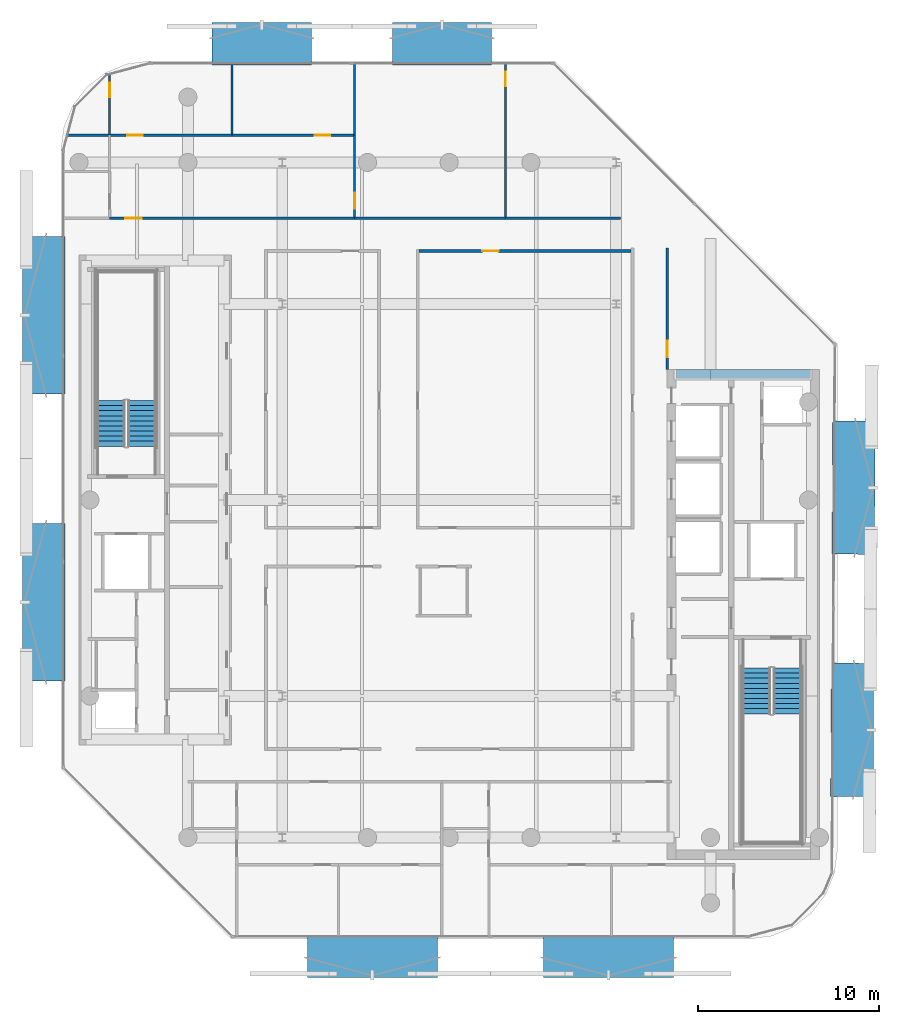
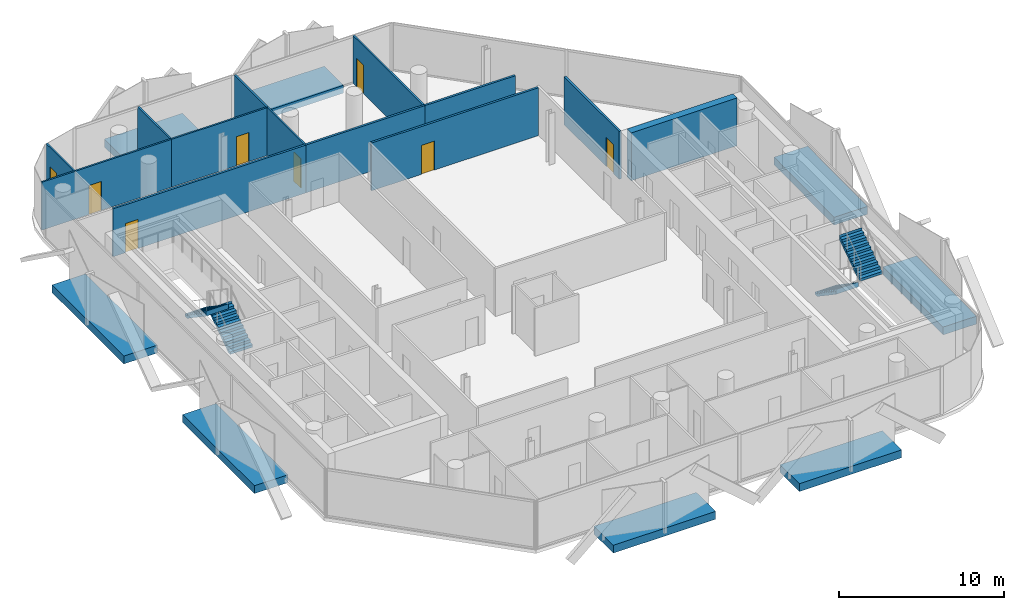
# One storey, part 7 of 16: 13 walls, 8 discrete accessories, 8 doors, 4 stair flights, 8 openings, 2 elements without a shape of their own.
"""IFC4 building model written with IfcOpenShell, lengths in metres."""

from ifc_helpers import new_model, si_unit, direction, frame, frame_2d, origin, origin_2d, place, context, subcontext, project, spatial, polyline, rectangle, outline, extrude, material, layer, layer_set, type_object, element, fill, aggregate, save


model = new_model("IFC4")

# Units and contexts
model_context = context("Model", 3, precision=1e-05, world=origin(), true_north=direction((0.0, 1.0)))
body_context = subcontext(model_context, "Body", "Model", "MODEL_VIEW")
ifc_project = project(units=[si_unit("LENGTHUNIT", "METRE"), si_unit("AREAUNIT", "SQUARE_METRE"), si_unit("VOLUMEUNIT", "CUBIC_METRE"), si_unit("PLANEANGLEUNIT", "RADIAN"), si_unit("MASSUNIT", "GRAM", prefix="KILO")], contexts=[model_context])

# Site, building, storey
site_placement = place(None, origin())
site = spatial("IfcSite", under=ifc_project, at=site_placement, CompositionType="ELEMENT")
building_placement = place(site_placement, origin())
building = spatial("IfcBuilding", under=site, at=building_placement, Name="Khairoan Windgate Tower", CompositionType="ELEMENT")
storey_placement = place(building_placement, frame((0.0, 0.0, 311.800048828125)))
storey = spatial("IfcBuildingStorey", under=building, at=storey_placement, Name="L75", CompositionType="ELEMENT", Elevation=311.800048828125)

# Wall, opening, door
ifc_material_1 = material(Name="Gypsum Stud Partition", Category="gypsum")
ifc_layer_1 = layer(ifc_material_1, 0.1201171875, Name="Gypsum Stud Partition")
ifc_layer_set_1 = layer_set([ifc_layer_1], Name="Gypsum Stud Partition")
wall_type_1 = type_object("IfcWallType", Name="Internal Room Partition Wall", PredefinedType="PARTITIONING", material=ifc_layer_set_1)
wall_1_placement = place(storey_placement, frame((-18.7099609375, 20.10009765625, 0.0), z_axis=(0.0, 0.0, 1.0), x_axis=(0.0, 1.0, 0.0)))
wall_1 = element("IfcWall", 1, at=wall_1_placement, inside=storey, type_object=wall_type_1, Name="L75 Interior Partition 037", PredefinedType="PARTITIONING", context=body_context, shape_type="SweptSolid", body=[
    extrude(rectangle(XDim=3.361328125, YDim=0.1201171875, at=frame_2d((1.6806640625, 0.0))), origin(), (0.0, 0.0, 1.0), 3.5400390625),
])
opening_1_placement = place(wall_1_placement, frame((2.1015625, 0.0, 0.0)))
opening_1 = element("IfcOpeningElement", 2, at=opening_1_placement, cuts=wall_1, Name="Opening ID-BTH", PredefinedType="OPENING", context=body_context, shape_type="SweptSolid", body=[
    extrude(rectangle(XDim=0.800048828125, YDim=2.10009765625, at=frame_2d((0.39990234375, 1.050048828125))), frame((0.0, 0.070068359375, 0.0), z_axis=(0.0, -1.0, 0.0), x_axis=(1.0, 0.0, 0.0)), (0.0, 0.0, 1.0), 0.14013671875),
])
ifc_material_2 = material(Name="Teak Veneer Timber Leaf", Category="wood")
door_type_1 = type_object("IfcDoorType", Name="Internal Bathroom Door ID-BTH 800x2100", OperationType="NOTDEFINED", PredefinedType="DOOR", material=ifc_material_2)
door_1_placement = place(opening_1_placement, origin())
door_1 = element("IfcDoor", 3, at=door_1_placement, inside=storey, type_object=door_type_1, Name="L75 L75-33-L75-37 Door", OperationType="SINGLE_SWING_RIGHT", OverallHeight=2.10009765625, OverallWidth=0.800048828125, PredefinedType="DOOR", context=body_context, shape_type="SweptSolid", body=[
    extrude(rectangle(XDim=0.800048828125, YDim=2.10009765625, at=frame_2d((0.39990234375, 1.050048828125))), frame((0.0, 0.02490234375, 0.0), z_axis=(0.0, -1.0, 0.0), x_axis=(1.0, 0.0, 0.0)), (0.0, 0.0, 1.0), 0.050048828125),
])
fill(opening_1, door_1)

wall_2_placement = place(storey_placement, frame((-5.2099609375, 15.60009765625, 0.0), z_axis=(0.0, 0.0, 1.0), x_axis=(0.0, 1.0, 0.0)))
wall_2 = element("IfcWall", 4, at=wall_2_placement, inside=storey, type_object=wall_type_1, Name="L75 Interior Partition 038", PredefinedType="PARTITIONING", context=body_context, shape_type="SweptSolid", body=[
    extrude(rectangle(XDim=4.5, YDim=0.1201171875, at=frame_2d((2.25, 0.0))), origin(), (0.0, 0.0, 1.0), 3.5400390625),
])
opening_2_placement = place(wall_2_placement, frame((0.4599609375, 0.0, 0.0)))
opening_2 = element("IfcOpeningElement", 5, at=opening_2_placement, cuts=wall_2, Name="Opening ID-RM", PredefinedType="OPENING", context=body_context, shape_type="SweptSolid", body=[
    extrude(rectangle(XDim=0.860107421875, YDim=2.14990234375, at=frame_2d((0.43017578125, 1.074951171875))), frame((0.0, 0.070068359375, 0.0), z_axis=(0.0, -1.0, 0.0), x_axis=(1.0, 0.0, 0.0)), (0.0, 0.0, 1.0), 0.14013671875),
])
ifc_material_3 = material(Name="Teak Veneer Timber Leaf", Category="wood")
door_type_2 = type_object("IfcDoorType", Name="Internal Bedroom and Office Door ID-RM 860x2150", OperationType="NOTDEFINED", PredefinedType="DOOR", material=ifc_material_3)
door_2_placement = place(opening_2_placement, origin())
door_2 = element("IfcDoor", 6, at=door_2_placement, inside=storey, type_object=door_type_2, Name="L75 L75-34-L75-35 Door", OperationType="SINGLE_SWING_LEFT", OverallHeight=2.14990234375, OverallWidth=0.860107421875, PredefinedType="DOOR", context=body_context, shape_type="SweptSolid", body=[
    extrude(rectangle(XDim=0.860107421875, YDim=2.14990234375, at=frame_2d((0.43017578125, 1.074951171875))), frame((0.0, 0.02490234375, 0.0), z_axis=(0.0, -1.0, 0.0), x_axis=(1.0, 0.0, 0.0)), (0.0, 0.0, 1.0), 0.050048828125),
])
fill(opening_2, door_2)

wall_3_placement = place(storey_placement, frame((-21.03857421875, 20.10009765625, 0.0), z_axis=(0.0, 0.0, 1.0), x_axis=(1.0, 0.0, 0.0)))
wall_3 = element("IfcWall", 7, at=wall_3_placement, inside=storey, type_object=wall_type_1, Name="L75 Interior Partition 039", PredefinedType="PARTITIONING", context=body_context, shape_type="SweptSolid", body=[
    extrude(rectangle(XDim=9.07861328125, YDim=0.1201171875, at=frame_2d((4.539306640625, 0.0))), origin(), (0.0, 0.0, 1.0), 3.5400390625),
])
opening_3_placement = place(wall_3_placement, frame((3.29833984375, 0.0, 0.0)))
opening_3 = element("IfcOpeningElement", 8, at=opening_3_placement, cuts=wall_3, Name="Opening ID-RM", PredefinedType="OPENING", context=body_context, shape_type="SweptSolid", body=[
    extrude(rectangle(XDim=0.860107421875, YDim=2.14990234375, at=frame_2d((0.43017578125, 1.074951171875))), frame((0.0, 0.070068359375, 0.0), z_axis=(0.0, -1.0, 0.0), x_axis=(1.0, 0.0, 0.0)), (0.0, 0.0, 1.0), 0.14013671875),
])
door_3_placement = place(opening_3_placement, origin())
door_3 = element("IfcDoor", 9, at=door_3_placement, inside=storey, type_object=door_type_2, Name="L75 L75-34-L75-37 Door", OperationType="SINGLE_SWING_RIGHT", OverallHeight=2.14990234375, OverallWidth=0.860107421875, PredefinedType="DOOR", context=body_context, shape_type="SweptSolid", body=[
    extrude(rectangle(XDim=0.860107421875, YDim=2.14990234375, at=frame_2d((0.43017578125, 1.074951171875))), frame((0.0, 0.02490234375, 0.0), z_axis=(0.0, -1.0, 0.0), x_axis=(1.0, 0.0, 0.0)), (0.0, 0.0, 1.0), 0.050048828125),
])
fill(opening_3, door_3)

wall_4_placement = place(storey_placement, frame((-11.9599609375, 20.10009765625, 0.0), z_axis=(0.0, 0.0, 1.0), x_axis=(1.0, 0.0, 0.0)))
wall_4 = element("IfcWall", 10, at=wall_4_placement, inside=storey, type_object=wall_type_1, Name="L75 Interior Partition 040", PredefinedType="PARTITIONING", context=body_context, shape_type="SweptSolid", body=[
    extrude(rectangle(XDim=6.68994140625, YDim=0.1201171875, at=frame_2d((3.344970703125, 0.0))), origin(), (0.0, 0.0, 1.0), 3.5400390625),
])
opening_4_placement = place(wall_4_placement, frame((4.5517578125, 0.0, 0.0)))
opening_4 = element("IfcOpeningElement", 11, at=opening_4_placement, cuts=wall_4, Name="Opening ID-RM", PredefinedType="OPENING", context=body_context, shape_type="SweptSolid", body=[
    extrude(rectangle(XDim=0.860107421875, YDim=2.14990234375, at=frame_2d((0.43017578125, 1.074951171875))), frame((0.0, 0.070068359375, 0.0), z_axis=(0.0, -1.0, 0.0), x_axis=(1.0, 0.0, 0.0)), (0.0, 0.0, 1.0), 0.14013671875),
])
door_4_placement = place(opening_4_placement, origin())
door_4 = element("IfcDoor", 12, at=door_4_placement, inside=storey, type_object=door_type_2, Name="L75 L75-34-L75-38 Door", OperationType="SINGLE_SWING_LEFT", OverallHeight=2.14990234375, OverallWidth=0.860107421875, PredefinedType="DOOR", context=body_context, shape_type="SweptSolid", body=[
    extrude(rectangle(XDim=0.860107421875, YDim=2.14990234375, at=frame_2d((0.43017578125, 1.074951171875))), frame((0.0, 0.02490234375, 0.0), z_axis=(0.0, -1.0, 0.0), x_axis=(1.0, 0.0, 0.0)), (0.0, 0.0, 1.0), 0.050048828125),
])
fill(opening_4, door_4)

wall_5_placement = place(storey_placement, frame((3.10498046875, 15.60009765625, 0.0), z_axis=(0.0, 0.0, 1.0), x_axis=(0.0, 1.0, 0.0)))
wall_5 = element("IfcWall", 13, at=wall_5_placement, inside=storey, type_object=wall_type_1, Name="L75 Interior Partition 041", PredefinedType="PARTITIONING", context=body_context, shape_type="SweptSolid", body=[
    extrude(rectangle(XDim=8.454833984375, YDim=0.1201171875, at=frame_2d((4.2275390625, 0.0))), origin(), (0.0, 0.0, 1.0), 3.5400390625),
])
opening_5_placement = place(wall_5_placement, frame((7.195068359375, 0.0, 0.0)))
opening_5 = element("IfcOpeningElement", 14, at=opening_5_placement, cuts=wall_5, Name="Opening ID-BTH", PredefinedType="OPENING", context=body_context, shape_type="SweptSolid", body=[
    extrude(rectangle(XDim=0.800048828125, YDim=2.10009765625, at=frame_2d((0.39990234375, 1.050048828125))), frame((0.0, 0.070068359375, 0.0), z_axis=(0.0, -1.0, 0.0), x_axis=(1.0, 0.0, 0.0)), (0.0, 0.0, 1.0), 0.14013671875),
])
door_5_placement = place(opening_5_placement, origin())
door_5 = element("IfcDoor", 15, at=door_5_placement, inside=storey, type_object=door_type_1, Name="L75 L75-35-L75-36 Door", OperationType="SINGLE_SWING_RIGHT", OverallHeight=2.10009765625, OverallWidth=0.800048828125, PredefinedType="DOOR", context=body_context, shape_type="SweptSolid", body=[
    extrude(rectangle(XDim=0.800048828125, YDim=2.10009765625, at=frame_2d((0.39990234375, 1.050048828125))), frame((0.0, 0.02490234375, 0.0), z_axis=(0.0, -1.0, 0.0), x_axis=(1.0, 0.0, 0.0)), (0.0, 0.0, 1.0), 0.050048828125),
])
fill(opening_5, door_5)

# Walls
wall_6_placement = place(storey_placement, frame((-5.2099609375, 20.10009765625, 0.0), z_axis=(0.0, 0.0, 1.0), x_axis=(0.0, 1.0, 0.0)))
element("IfcWall", 16, at=wall_6_placement, inside=storey, type_object=wall_type_1, Name="L75 Interior Partition 042", PredefinedType="PARTITIONING", context=body_context, shape_type="SweptSolid", body=[
    extrude(rectangle(XDim=3.954833984375, YDim=0.1201171875, at=frame_2d((1.9775390625, 0.0))), origin(), (0.0, 0.0, 1.0), 3.5400390625),
])
wall_7_placement = place(storey_placement, frame((-11.9599609375, 20.159912109375, 0.0), z_axis=(0.0, 0.0, 1.0), x_axis=(0.0, 1.0, 0.0)))
element("IfcWall", 17, at=wall_7_placement, inside=storey, type_object=wall_type_1, Name="L75 Interior Partition 043", PredefinedType="PARTITIONING", context=body_context, shape_type="SweptSolid", body=[
    extrude(rectangle(XDim=3.89501953125, YDim=0.1201171875, at=frame_2d((1.947509765625, 0.0))), origin(), (0.0, 0.0, 1.0), 3.5400390625),
])

# Wall, opening, door
ifc_material_4 = material(Name="Acoustic Fire-Rated Gypsum Partition", Category="gypsum")
ifc_layer_2 = layer(ifc_material_4, 0.14990234375, Name="Acoustic Fire-Rated Gypsum Partition")
ifc_layer_set_2 = layer_set([ifc_layer_2], Name="Acoustic Fire-Rated Gypsum Partition")
wall_type_2 = type_object("IfcWallType", Name="Rated Corridor Partition Wall", PredefinedType="PARTITIONING", material=ifc_layer_set_2)
wall_8_placement = place(storey_placement, frame((12.014892578125, 7.199951171875, 0.0), z_axis=(0.0, 0.0, 1.0), x_axis=(0.0, 1.0, 0.0)))
wall_8 = element("IfcWall", 18, at=wall_8_placement, inside=storey, type_object=wall_type_2, Name="L75 Interior Partition 013", PredefinedType="PARTITIONING", context=body_context, shape_type="SweptSolid", body=[
    extrude(rectangle(XDim=6.679931640625, YDim=0.14990234375, at=frame_2d((3.33984375, 0.0))), origin(), (0.0, 0.0, 1.0), 3.5400390625),
])
opening_6_placement = place(wall_8_placement, frame((0.669921875, 0.0, 0.0)))
opening_6 = element("IfcOpeningElement", 19, at=opening_6_placement, cuts=wall_8, Name="Opening FD-ENT", PredefinedType="OPENING", context=body_context, shape_type="SweptSolid", body=[
    extrude(rectangle(XDim=0.89990234375, YDim=2.14990234375, at=frame_2d((0.449951171875, 1.074951171875))), frame((0.0, 0.0849609375, 0.0), z_axis=(0.0, -1.0, 0.0), x_axis=(1.0, 0.0, 0.0)), (0.0, 0.0, 1.0), 0.169921875),
])
ifc_material_5 = material(Name="Timber Fire-Rated Core", Category="wood")
door_type_3 = type_object("IfcDoorType", Name="Unit and Office Fire Entrance Door FD-ENT 900x2150", OperationType="NOTDEFINED", PredefinedType="DOOR", material=ifc_material_5)
door_6_placement = place(opening_6_placement, origin())
door_6 = element("IfcDoor", 20, at=door_6_placement, inside=storey, type_object=door_type_3, Name="L75 L75-27-L75-50 Door", OperationType="SINGLE_SWING_LEFT", OverallHeight=2.14990234375, OverallWidth=0.89990234375, PredefinedType="DOOR", context=body_context, shape_type="SweptSolid", body=[
    extrude(rectangle(XDim=0.89990234375, YDim=2.14990234375, at=frame_2d((0.449951171875, 1.074951171875))), frame((0.0, 0.02490234375, 0.0), z_axis=(0.0, -1.0, 0.0), x_axis=(1.0, 0.0, 0.0)), (0.0, 0.0, 1.0), 0.050048828125),
])
fill(opening_6, door_6)

wall_9_placement = place(storey_placement, frame((-18.7099609375, 15.52490234375, 0.0), z_axis=(0.0, 0.0, 1.0), x_axis=(1.0, 0.0, 0.0)))
wall_9 = element("IfcWall", 21, at=wall_9_placement, inside=storey, type_object=wall_type_2, Name="L75 Interior Partition 023", PredefinedType="PARTITIONING", context=body_context, shape_type="SweptSolid", body=[
    extrude(rectangle(XDim=13.5, YDim=0.14990234375, at=frame_2d((6.75, 0.0))), origin(), (0.0, 0.0, 1.0), 3.5400390625),
])
opening_7_placement = place(wall_9_placement, frame((0.86279296875, 0.0, 0.0)))
opening_7 = element("IfcOpeningElement", 22, at=opening_7_placement, cuts=wall_9, Name="Opening FD-ENT", PredefinedType="OPENING", context=body_context, shape_type="SweptSolid", body=[
    extrude(rectangle(XDim=0.89990234375, YDim=2.14990234375, at=frame_2d((0.449951171875, 1.074951171875))), frame((0.0, 0.0849609375, 0.0), z_axis=(0.0, -1.0, 0.0), x_axis=(1.0, 0.0, 0.0)), (0.0, 0.0, 1.0), 0.169921875),
])
door_7_placement = place(opening_7_placement, origin())
door_7 = element("IfcDoor", 23, at=door_7_placement, inside=storey, type_object=door_type_3, Name="L75 L75-30-L75-34 Door", OperationType="SINGLE_SWING_RIGHT", OverallHeight=2.14990234375, OverallWidth=0.89990234375, PredefinedType="DOOR", context=body_context, shape_type="SweptSolid", body=[
    extrude(rectangle(XDim=0.89990234375, YDim=2.14990234375, at=frame_2d((0.449951171875, 1.074951171875))), frame((0.0, 0.02490234375, 0.0), z_axis=(0.0, -1.0, 0.0), x_axis=(1.0, 0.0, 0.0)), (0.0, 0.0, 1.0), 0.050048828125),
])
fill(opening_7, door_7)

# Walls
wall_10_placement = place(storey_placement, frame((-5.2099609375, 15.52490234375, 0.0), z_axis=(0.0, 0.0, 1.0), x_axis=(1.0, 0.0, 0.0)))
element("IfcWall", 24, at=wall_10_placement, inside=storey, type_object=wall_type_2, Name="L75 Interior Partition 024", PredefinedType="PARTITIONING", context=body_context, shape_type="SweptSolid", body=[
    extrude(rectangle(XDim=8.31494140625, YDim=0.14990234375, at=frame_2d((4.157470703125, 0.0))), origin(), (0.0, 0.0, 1.0), 3.5400390625),
])
wall_11_placement = place(storey_placement, frame((3.10498046875, 15.52490234375, 0.0), z_axis=(0.0, 0.0, 1.0), x_axis=(1.0, 0.0, 0.0)))
element("IfcWall", 25, at=wall_11_placement, inside=storey, type_object=wall_type_2, Name="L75 Interior Partition 025", PredefinedType="PARTITIONING", context=body_context, shape_type="SweptSolid", body=[
    extrude(rectangle(XDim=6.3349609375, YDim=0.14990234375, at=frame_2d((3.16748046875, 0.0))), origin(), (0.0, 0.0, 1.0), 3.5400390625),
])

# Wall, opening, door
wall_12_placement = place(storey_placement, frame((-1.659912109375, 13.719970703125, 0.0), z_axis=(0.0, 0.0, 1.0), x_axis=(1.0, 0.0, 0.0)))
wall_12 = element("IfcWall", 26, at=wall_12_placement, inside=storey, type_object=wall_type_2, Name="L75 Interior Partition 027", PredefinedType="PARTITIONING", context=body_context, shape_type="SweptSolid", body=[
    extrude(rectangle(XDim=11.684814453125, YDim=0.14990234375, at=frame_2d((5.84228515625, 0.0))), origin(), (0.0, 0.0, 1.0), 3.5400390625),
])
opening_8_placement = place(wall_12_placement, frame((3.486083984375, 0.0, 0.0)))
opening_8 = element("IfcOpeningElement", 27, at=opening_8_placement, cuts=wall_12, Name="Opening FD-ENT", PredefinedType="OPENING", context=body_context, shape_type="SweptSolid", body=[
    extrude(rectangle(XDim=0.89990234375, YDim=2.14990234375, at=frame_2d((0.449951171875, 1.074951171875))), frame((0.0, 0.0849609375, 0.0), z_axis=(0.0, -1.0, 0.0), x_axis=(1.0, 0.0, 0.0)), (0.0, 0.0, 1.0), 0.169921875),
])
door_8_placement = place(opening_8_placement, origin())
door_8 = element("IfcDoor", 28, at=door_8_placement, inside=storey, type_object=door_type_3, Name="L75 L75-30-L75-53 Door", OperationType="SINGLE_SWING_RIGHT", OverallHeight=2.14990234375, OverallWidth=0.89990234375, PredefinedType="DOOR", context=body_context, shape_type="SweptSolid", body=[
    extrude(rectangle(XDim=0.89990234375, YDim=2.14990234375, at=frame_2d((0.449951171875, 1.074951171875))), frame((0.0, 0.02490234375, 0.0), z_axis=(0.0, -1.0, 0.0), x_axis=(1.0, 0.0, 0.0)), (0.0, 0.0, 1.0), 0.050048828125),
])
fill(opening_8, door_8)

# Wall
ifc_material_6 = material(Name="Concrete C50/60", Category="concrete")
ifc_layer_3 = layer(ifc_material_6, 0.5, Name="Concrete C50/60")
ifc_layer_set_3 = layer_set([ifc_layer_3], Name="Concrete C50/60")
wall_type_3 = type_object("IfcWallType", Name="Shear Wall CW-E3 500mm", PredefinedType="SHEAR", material=ifc_layer_set_3)
wall_13_placement = place(storey_placement, frame((12.5, 6.949951171875, 0.0), z_axis=(0.0, 0.0, 1.0), x_axis=(1.0, 0.0, 0.0)))
element("IfcWall", 29, at=wall_13_placement, inside=storey, type_object=wall_type_3, Name="E Core North Shear Wall L75", PredefinedType="SHEAR", context=body_context, shape_type="SweptSolid", body=[
    extrude(rectangle(XDim=7.39990234375, YDim=0.5, at=frame_2d((3.699951171875, 0.0))), origin(), (0.0, 0.0, 1.0), 3.5400390625),
])

# Stair, stair flights
ifc_material_7 = material(Name="Concrete C40/50", Category="concrete")
stair_type = type_object("IfcStairType", Name="Tower Core Dog-Leg Stair ST-T1 1560mm", PredefinedType="HALF_TURN_STAIR", material=ifc_material_7)
stair_1_placement = place(storey_placement, origin())
stair_1 = element("IfcStair", 30, at=stair_1_placement, inside=storey, type_object=stair_type, Name="L75 Stair ST1", PredefinedType="HALF_TURN_STAIR")
ifc_material_8 = material(Name="Concrete C40/50", Category="concrete")
ifc_layer_4 = layer(ifc_material_8, 0.14990234375, Name="Concrete C40/50")
ifc_layer_set_4 = layer_set([ifc_layer_4], Name="Concrete C40/50")
stair_flight_type = type_object("IfcStairFlightType", Name="Tower Core Stair Flight STF-1560", PredefinedType="STRAIGHT", material=ifc_layer_set_4)
stair_flight_1_placement = place(storey_placement, frame((16.929931640625, -9.260009765625, 0.0), z_axis=(0.0, 0.0, 1.0), x_axis=(0.0, -1.0, 0.0)))
stair_flight_1 = element("IfcStairFlight", 31, at=stair_flight_1_placement, type_object=stair_flight_type, Name="ST1 flight 1", NumberOfRisers=10, NumberOfTreads=9, PredefinedType="STRAIGHT", RiserHeight=0.19, TreadLength=0.28, context=body_context, shape_type="SweptSolid", body=[
    extrude(outline(polyline([(-0.00390625, 0.0), (-0.00390625, 0.18994140625), (0.0, 0.18994140625), (0.280029296875, 0.18994140625), (0.280029296875, 0.3798828125), (0.56005859375, 0.3798828125), (0.56005859375, 0.570068359375), (0.840087890625, 0.570068359375), (0.840087890625, 0.760009765625), (1.1201171875, 0.760009765625), (1.1201171875, 0.949951171875), (1.39990234375, 0.949951171875), (1.39990234375, 1.139892578125), (1.679931640625, 1.139892578125), (1.679931640625, 1.330078125), (1.9599609375, 1.330078125), (1.9599609375, 1.52001953125), (2.239990234375, 1.52001953125), (2.239990234375, 1.7099609375), (2.52001953125, 1.7099609375), (2.52001953125, 1.89990234375), (2.52392578125, 1.89990234375), (2.52392578125, 1.52880859375), (0.266845703125, 0.0), (-0.00390625, 0.0)])), frame((0.0, 0.780029296875, 0.0), z_axis=(0.0, -1.0, 0.0), x_axis=(1.0, 0.0, 0.0)), (0.0, 0.0, 1.0), 1.56005859375),
])
stair_flight_2_placement = place(storey_placement, frame((18.639892578125, -11.780029296875, 1.89990234375), z_axis=(0.0, 0.0, 1.0), x_axis=(0.0, 1.0, 0.0)))
stair_flight_2 = element("IfcStairFlight", 32, at=stair_flight_2_placement, type_object=stair_flight_type, Name="ST1 flight 2", NumberOfRisers=10, NumberOfTreads=9, PredefinedType="STRAIGHT", RiserHeight=0.19, TreadLength=0.28, context=body_context, shape_type="SweptSolid", body=[
    extrude(outline(polyline([(-0.00390625, 0.0), (-0.00390625, 0.18994140625), (0.0, 0.18994140625), (0.280029296875, 0.18994140625), (0.280029296875, 0.3798828125), (0.56005859375, 0.3798828125), (0.56005859375, 0.570068359375), (0.840087890625, 0.570068359375), (0.840087890625, 0.760009765625), (1.1201171875, 0.760009765625), (1.1201171875, 0.949951171875), (1.39990234375, 0.949951171875), (1.39990234375, 1.139892578125), (1.679931640625, 1.139892578125), (1.679931640625, 1.330078125), (1.9599609375, 1.330078125), (1.9599609375, 1.52001953125), (2.239990234375, 1.52001953125), (2.239990234375, 1.7099609375), (2.52001953125, 1.7099609375), (2.52001953125, 1.89990234375), (2.52392578125, 1.89990234375), (2.52392578125, 1.52880859375), (0.266845703125, 0.0), (-0.00390625, 0.0)])), frame((0.0, 0.780029296875, 0.0), z_axis=(0.0, -1.0, 0.0), x_axis=(1.0, 0.0, 0.0)), (0.0, 0.0, 1.0), 1.56005859375),
])
aggregate(stair_1, [stair_flight_1, stair_flight_2])

stair_2_placement = place(storey_placement, origin())
stair_2 = element("IfcStair", 33, at=stair_2_placement, inside=storey, type_object=stair_type, Name="L75 Stair ST2", PredefinedType="HALF_TURN_STAIR")
stair_flight_3_placement = place(storey_placement, frame((-16.929931640625, 2.9599609375, 0.0), z_axis=(0.0, 0.0, 1.0), x_axis=(0.0, 1.0, 0.0)))
stair_flight_3 = element("IfcStairFlight", 34, at=stair_flight_3_placement, type_object=stair_flight_type, Name="ST2 flight 1", NumberOfRisers=10, NumberOfTreads=9, PredefinedType="STRAIGHT", RiserHeight=0.19, TreadLength=0.28, context=body_context, shape_type="SweptSolid", body=[
    extrude(outline(polyline([(-0.00390625, 0.0), (-0.00390625, 0.18994140625), (0.0, 0.18994140625), (0.280029296875, 0.18994140625), (0.280029296875, 0.3798828125), (0.56005859375, 0.3798828125), (0.56005859375, 0.570068359375), (0.840087890625, 0.570068359375), (0.840087890625, 0.760009765625), (1.1201171875, 0.760009765625), (1.1201171875, 0.949951171875), (1.39990234375, 0.949951171875), (1.39990234375, 1.139892578125), (1.679931640625, 1.139892578125), (1.679931640625, 1.330078125), (1.9599609375, 1.330078125), (1.9599609375, 1.52001953125), (2.239990234375, 1.52001953125), (2.239990234375, 1.7099609375), (2.52001953125, 1.7099609375), (2.52001953125, 1.89990234375), (2.52392578125, 1.89990234375), (2.52392578125, 1.52880859375), (0.266845703125, 0.0), (-0.00390625, 0.0)])), frame((0.0, 0.780029296875, 0.0), z_axis=(0.0, -1.0, 0.0), x_axis=(1.0, 0.0, 0.0)), (0.0, 0.0, 1.0), 1.56005859375),
])
stair_flight_4_placement = place(storey_placement, frame((-18.639892578125, 5.47998046875, 1.89990234375), z_axis=(0.0, 0.0, 1.0), x_axis=(0.0, -1.0, 0.0)))
stair_flight_4 = element("IfcStairFlight", 35, at=stair_flight_4_placement, type_object=stair_flight_type, Name="ST2 flight 2", NumberOfRisers=10, NumberOfTreads=9, PredefinedType="STRAIGHT", RiserHeight=0.19, TreadLength=0.28, context=body_context, shape_type="SweptSolid", body=[
    extrude(outline(polyline([(-0.00390625, 0.0), (-0.00390625, 0.18994140625), (0.0, 0.18994140625), (0.280029296875, 0.18994140625), (0.280029296875, 0.3798828125), (0.56005859375, 0.3798828125), (0.56005859375, 0.570068359375), (0.840087890625, 0.570068359375), (0.840087890625, 0.760009765625), (1.1201171875, 0.760009765625), (1.1201171875, 0.949951171875), (1.39990234375, 0.949951171875), (1.39990234375, 1.139892578125), (1.679931640625, 1.139892578125), (1.679931640625, 1.330078125), (1.9599609375, 1.330078125), (1.9599609375, 1.52001953125), (2.239990234375, 1.52001953125), (2.239990234375, 1.7099609375), (2.52001953125, 1.7099609375), (2.52001953125, 1.89990234375), (2.52392578125, 1.89990234375), (2.52392578125, 1.52880859375), (0.266845703125, 0.0), (-0.00390625, 0.0)])), frame((0.0, 0.780029296875, 0.0), z_axis=(0.0, -1.0, 0.0), x_axis=(1.0, 0.0, 0.0)), (0.0, 0.0, 1.0), 1.56005859375),
])
aggregate(stair_2, [stair_flight_3, stair_flight_4])

# Discrete accessories
ifc_material_9 = material(Name="Steel S355", Category="steel")
discrete_accessory_type = type_object("IfcDiscreteAccessoryType", Name="Solar Screen Outrigger Slab Bracket SSB-1", PredefinedType="BRACKET", material=ifc_material_9)
for number, where, z_axis, x_axis, name in (
    (36, (8.78271484375, -25.1298828125, -0.420166015625), (0.0, 0.0, 1.0), (-1.0, 0.0, 0.0), "L75 Solar Screen Outrigger Bracket 526"),
    (37, (-4.23388671875, -25.1298828125, -0.420166015625), (0.0, 0.0, 1.0), (-1.0, 0.0, 0.0), "L75 Solar Screen Outrigger Bracket 527"),
):
    element("IfcDiscreteAccessory", number, at=place(storey_placement, frame(where, z_axis=z_axis, x_axis=x_axis)), inside=storey, type_object=discrete_accessory_type, Name=name, PredefinedType="BRACKET", context=body_context, shape_type="SweptSolid", body=[
        extrude(rectangle(XDim=7.158935546875, YDim=2.340087890625, at=origin_2d()), origin(), (0.0, 0.0, 1.0), 0.580078125),
    ])
for number, where, z_axis, x_axis, name in (
    (38, (-22.330078125, -5.6337890625, -0.420166015625), (0.0, 0.0, 1.0), (0.0, 1.0, 0.0), "L75 Solar Screen Outrigger Bracket 528"),
    (39, (-22.330078125, 10.1826171875, -0.420166015625), (0.0, 0.0, 1.0), (0.0, 1.0, 0.0), "L75 Solar Screen Outrigger Bracket 529"),
):
    element("IfcDiscreteAccessory", number, at=place(storey_placement, frame(where, z_axis=z_axis, x_axis=x_axis)), inside=storey, type_object=discrete_accessory_type, Name=name, PredefinedType="BRACKET", context=body_context, shape_type="SweptSolid", body=[
        extrude(rectangle(XDim=8.698974609375, YDim=2.340087890625, at=origin_2d()), origin(), (0.0, 0.0, 1.0), 0.580078125),
    ])
for number, where, z_axis, x_axis, name in (
    (40, (-10.32763671875, 25.1298828125, -0.420166015625), (0.0, 0.0, 1.0), (1.0, 0.0, 0.0), "L75 Solar Screen Outrigger Bracket 530"),
    (41, (-0.401123046875, 25.1298828125, -0.420166015625), (0.0, 0.0, 1.0), (1.0, 0.0, 0.0), "L75 Solar Screen Outrigger Bracket 531"),
):
    element("IfcDiscreteAccessory", number, at=place(storey_placement, frame(where, z_axis=z_axis, x_axis=x_axis)), inside=storey, type_object=discrete_accessory_type, Name=name, PredefinedType="BRACKET", context=body_context, shape_type="SweptSolid", body=[
        extrude(rectangle(XDim=5.4599609375, YDim=2.340087890625, at=origin_2d()), origin(), (0.0, 0.0, 1.0), 0.580078125),
    ])
for number, where, z_axis, x_axis, name in (
    (42, (22.285888671875, 0.6826171875, -0.420166015625), (0.0, 0.0, 1.0), (-0.005585024571, -0.999984403629, 0.0), "L75 Solar Screen Outrigger Bracket 532"),
    (43, (22.210693359375, -12.664306640625, -0.420166015625), (0.0, 0.0, 1.0), (-0.005585024571, -0.999984403629, 0.0), "L75 Solar Screen Outrigger Bracket 533"),
):
    element("IfcDiscreteAccessory", number, at=place(storey_placement, frame(where, z_axis=z_axis, x_axis=x_axis)), inside=storey, type_object=discrete_accessory_type, Name=name, PredefinedType="BRACKET", context=body_context, shape_type="SweptSolid", body=[
        extrude(rectangle(XDim=7.341064453125, YDim=2.340087890625, at=origin_2d()), origin(), (0.0, 0.0, 1.0), 0.580078125),
    ])

save(model, "model.ifc")
